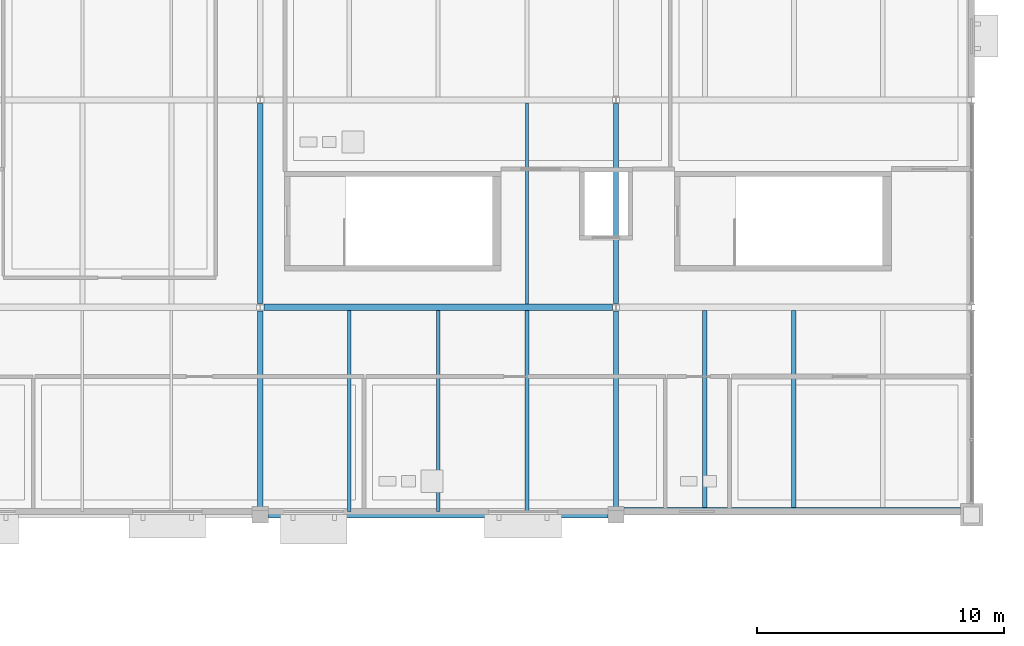
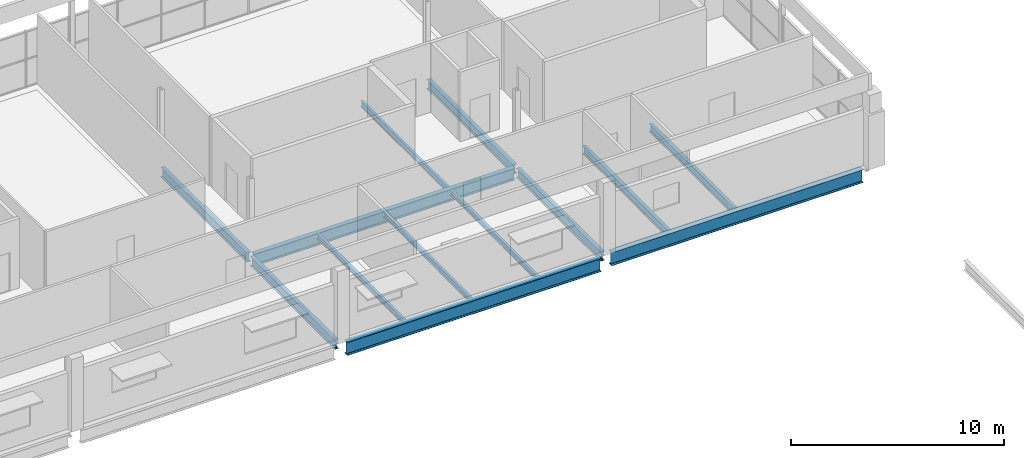
# One storey, part 24 of 43: 13 beams.
"""IFC4 building model written with IfcOpenShell, lengths in metres."""

from ifc_helpers import new_model, si_unit, direction, frame, origin, origin_2d, place, context, subcontext, project, spatial, i_section, extrude, material, material_profile, profile_set, type_object, element, save


model = new_model("IFC4")

# Units and contexts
model_context = context("Model", 3, precision=1e-05, world=origin(), true_north=direction((0.0, 1.0)))
body_context = subcontext(model_context, "Body", "Model", "MODEL_VIEW")
ifc_project = project(units=[si_unit("LENGTHUNIT", "METRE"), si_unit("AREAUNIT", "SQUARE_METRE"), si_unit("VOLUMEUNIT", "CUBIC_METRE"), si_unit("PLANEANGLEUNIT", "RADIAN"), si_unit("MASSUNIT", "GRAM", prefix="KILO"), si_unit("THERMODYNAMICTEMPERATUREUNIT", "KELVIN")], contexts=[model_context])

# Site, building, storey
site_placement = place(None, origin())
site = spatial("IfcSite", under=ifc_project, at=site_placement, CompositionType="ELEMENT")
building_placement = place(site_placement, origin())
building = spatial("IfcBuilding", under=site, at=building_placement, Name="Nduvali Passage Aquatics Centre", CompositionType="ELEMENT")
storey_placement = place(building_placement, frame((0.0, 0.0, 17.39990234375)))
storey = spatial("IfcBuildingStorey", under=building, at=storey_placement, Name="L04", CompositionType="ELEMENT", Elevation=17.39990234375)

# Beams
ifc_material = material(Name="Steel S355", Category="steel")
ifc_material_profile_1 = material_profile(ifc_material, i_section(OverallWidth=0.210693359375, OverallDepth=0.53955078125, WebThickness=0.01171875, FlangeThickness=0.018798828125, FilletRadius=0.0126953125, at=origin_2d()), Name="UKB 533x210x109")
ifc_profile_set_1 = profile_set([ifc_material_profile_1], Name="Steel S355")
beam_type_1 = type_object("IfcBeamType", Name="STR-BM-UKB533", PredefinedType="BEAM", material=ifc_profile_set_1)
beam_1_placement = place(storey_placement, frame((97.199951171875, 92.72509765625, -0.503662109375), z_axis=(0.0, 1.0, 0.0), x_axis=(-1.0, 0.0, 0.0)))
element("IfcBeam", 1, at=beam_1_placement, inside=storey, type_object=beam_type_1, Name="L04 Primary Y-Girder B6-1380", PredefinedType="BEAM", context=body_context, shape_type="SweptSolid", body=[
    extrude(i_section(OverallWidth=0.210693359375, OverallDepth=0.53955078125, WebThickness=0.01171875, FlangeThickness=0.018798828125, FilletRadius=0.0126953125, at=origin_2d()), origin(), (0.0, 0.0, 1.0), 7.9248046875),
])
beam_2_placement = place(storey_placement, frame((97.199951171875, 100.949951171875, -0.503662109375), z_axis=(0.0, 1.0, 0.0), x_axis=(-1.0, 0.0, 0.0)))
element("IfcBeam", 2, at=beam_2_placement, inside=storey, type_object=beam_type_1, Name="L04 Primary Y-Girder B6-1381", PredefinedType="BEAM", context=body_context, shape_type="SweptSolid", body=[
    extrude(i_section(OverallWidth=0.210693359375, OverallDepth=0.53955078125, WebThickness=0.01171875, FlangeThickness=0.018798828125, FilletRadius=0.0126953125, at=origin_2d()), origin(), (0.0, 0.0, 1.0), 8.10009765625),
])
beam_3_placement = place(storey_placement, frame((111.60009765625, 92.72509765625, -0.503662109375), z_axis=(0.0, 1.0, 0.0), x_axis=(-1.0, 0.0, 0.0)))
element("IfcBeam", 3, at=beam_3_placement, inside=storey, type_object=beam_type_1, Name="L04 Primary Y-Girder B6-1383", PredefinedType="BEAM", context=body_context, shape_type="SweptSolid", body=[
    extrude(i_section(OverallWidth=0.210693359375, OverallDepth=0.53955078125, WebThickness=0.01171875, FlangeThickness=0.018798828125, FilletRadius=0.0126953125, at=origin_2d()), origin(), (0.0, 0.0, 1.0), 7.9248046875),
])
beam_4_placement = place(storey_placement, frame((111.60009765625, 100.949951171875, -0.503662109375), z_axis=(0.0, 1.0, 0.0), x_axis=(-1.0, 0.0, 0.0)))
element("IfcBeam", 4, at=beam_4_placement, inside=storey, type_object=beam_type_1, Name="L04 Primary Y-Girder B6-1384", PredefinedType="BEAM", context=body_context, shape_type="SweptSolid", body=[
    extrude(i_section(OverallWidth=0.210693359375, OverallDepth=0.53955078125, WebThickness=0.01171875, FlangeThickness=0.018798828125, FilletRadius=0.0126953125, at=origin_2d()), origin(), (0.0, 0.0, 1.0), 8.10009765625),
])
ifc_material_profile_2 = material_profile(ifc_material, i_section(OverallWidth=0.253662109375, OverallDepth=0.68359375, WebThickness=0.012451171875, FlangeThickness=0.01904296875, FilletRadius=0.01513671875, at=origin_2d()), Name="UKB 686x254x140")
ifc_profile_set_2 = profile_set([ifc_material_profile_2], Name="Steel S355")
beam_type_2 = type_object("IfcBeamType", Name="STR-BM-UKB686", PredefinedType="BEAM", material=ifc_profile_set_2)
beam_5_placement = place(storey_placement, frame((97.35009765625, 100.800048828125, -0.57568359375), z_axis=(1.0, 0.0, 0.0), x_axis=(0.0, 1.0, 0.0)))
element("IfcBeam", 5, at=beam_5_placement, inside=storey, type_object=beam_type_2, Name="L04 Primary X-Girder B4-1341", PredefinedType="BEAM", context=body_context, shape_type="SweptSolid", body=[
    extrude(i_section(OverallWidth=0.253662109375, OverallDepth=0.68359375, WebThickness=0.012451171875, FlangeThickness=0.01904296875, FilletRadius=0.01513671875, at=origin_2d()), origin(), (0.0, 0.0, 1.0), 14.099853515625),
])
ifc_material_profile_3 = material_profile(ifc_material, i_section(OverallWidth=0.2666015625, OverallDepth=0.76220703125, WebThickness=0.014404296875, FlangeThickness=0.021484375, FilletRadius=0.0166015625, at=origin_2d()), Name="UKB 762x267x173")
ifc_profile_set_3 = profile_set([ifc_material_profile_3], Name="Steel S355")
beam_type_3 = type_object("IfcBeamType", Name="STR-BM-UKB762-EXT", PredefinedType="BEAM", material=ifc_profile_set_3)
beam_6_placement = place(storey_placement, frame((97.52490234375, 92.39990234375, -0.614990234375), z_axis=(1.0, 0.0, 0.0), x_axis=(0.0, 1.0, 0.0)))
element("IfcBeam", 6, at=beam_6_placement, inside=storey, type_object=beam_type_3, Name="L04 Primary X-Girder B4CE-1336", PredefinedType="BEAM", context=body_context, shape_type="SweptSolid", body=[
    extrude(i_section(OverallWidth=0.2666015625, OverallDepth=0.76220703125, WebThickness=0.014404296875, FlangeThickness=0.021484375, FilletRadius=0.0166015625, at=origin_2d()), origin(), (0.0, 0.0, 1.0), 13.75),
])
beam_7_placement = place(storey_placement, frame((111.925048828125, 92.56005859375, -0.614990234375), z_axis=(1.0, 0.0, 0.0), x_axis=(0.0, 1.0, 0.0)))
element("IfcBeam", 7, at=beam_7_placement, inside=storey, type_object=beam_type_3, Name="L04 Primary X-Girder B4CE-1337", PredefinedType="BEAM", context=body_context, shape_type="SweptSolid", body=[
    extrude(i_section(OverallWidth=0.2666015625, OverallDepth=0.76220703125, WebThickness=0.014404296875, FlangeThickness=0.021484375, FilletRadius=0.0166015625, at=origin_2d()), origin(), (0.0, 0.0, 1.0), 13.625),
])
ifc_material_profile_4 = material_profile(ifc_material, i_section(OverallWidth=0.14990234375, OverallDepth=0.300048828125, WebThickness=0.007080078125, FlangeThickness=0.0107421875, FilletRadius=0.014892578125, at=origin_2d()), Name="IPE 300")
ifc_profile_set_4 = profile_set([ifc_material_profile_4], Name="Steel S355")
beam_type_4 = type_object("IfcBeamType", Name="STR-JST-IPE300", PredefinedType="JOIST", material=ifc_profile_set_4)
for number, where, z_axis, x_axis, name in (
    (8, (100.800048828125, 92.533203125, -0.3837890625), (0.0, 1.0, 0.0), (-1.0, 0.0, 0.0), "L04 Secondary Joist J7-1412"),
    (9, (104.39990234375, 92.533203125, -0.3837890625), (0.0, 1.0, 0.0), (-1.0, 0.0, 0.0), "L04 Secondary Joist J7-1413"),
    (10, (108.0, 92.533203125, -0.3837890625), (0.0, 1.0, 0.0), (-1.0, 0.0, 0.0), "L04 Secondary Joist J7-1414"),
):
    element("IfcBeam", number, at=place(storey_placement, frame(where, z_axis=z_axis, x_axis=x_axis)), inside=storey, type_object=beam_type_4, Name=name, PredefinedType="JOIST", context=body_context, shape_type="SweptSolid", body=[
        extrude(i_section(OverallWidth=0.14990234375, OverallDepth=0.300048828125, WebThickness=0.007080078125, FlangeThickness=0.0107421875, FilletRadius=0.014892578125, at=origin_2d()), origin(), (0.0, 0.0, 1.0), 8.139892578125),
    ])
ifc_material_profile_5 = material_profile(ifc_material, i_section(OverallWidth=0.18994140625, OverallDepth=0.449951171875, WebThickness=0.009521484375, FlangeThickness=0.0146484375, FilletRadius=0.02099609375, at=origin_2d()), Name="IPE 450")
ifc_profile_set_5 = profile_set([ifc_material_profile_5], Name="Steel S355")
beam_type_5 = type_object("IfcBeamType", Name="STR-JST-IPE450", PredefinedType="JOIST", material=ifc_profile_set_5)
for number, where, z_axis, x_axis, name in (
    (11, (115.199951171875, 92.693359375, -0.458984375), (0.0, 1.0, 0.0), (-1.0, 0.0, 0.0), "L04 Secondary Joist J5B-1415"),
    (12, (118.800048828125, 92.693359375, -0.458984375), (0.0, 1.0, 0.0), (-1.0, 0.0, 0.0), "L04 Secondary Joist J5B-1416"),
):
    element("IfcBeam", number, at=place(storey_placement, frame(where, z_axis=z_axis, x_axis=x_axis)), inside=storey, type_object=beam_type_5, Name=name, PredefinedType="JOIST", context=body_context, shape_type="SweptSolid", body=[
        extrude(i_section(OverallWidth=0.18994140625, OverallDepth=0.449951171875, WebThickness=0.009521484375, FlangeThickness=0.0146484375, FilletRadius=0.02099609375, at=origin_2d()), origin(), (0.0, 0.0, 1.0), 7.979736328125),
    ])
ifc_material_profile_6 = material_profile(ifc_material, i_section(OverallWidth=0.1259765625, OverallDepth=0.353515625, WebThickness=0.006591796875, FlangeThickness=0.0107421875, FilletRadius=0.01025390625, at=origin_2d()), Name="UKB 356x127x39")
ifc_profile_set_6 = profile_set([ifc_material_profile_6], Name="Steel S355")
beam_type_6 = type_object("IfcBeamType", Name="STR-JST-UKB356L", PredefinedType="JOIST", material=ifc_profile_set_6)
beam_8_placement = place(storey_placement, frame((108.0, 100.9267578125, -0.41064453125), z_axis=(0.0, 1.0, 0.0), x_axis=(-1.0, 0.0, 0.0)))
element("IfcBeam", 13, at=beam_8_placement, inside=storey, type_object=beam_type_6, Name="L04 Secondary Joist J2A-1424", PredefinedType="JOIST", context=body_context, shape_type="SweptSolid", body=[
    extrude(i_section(OverallWidth=0.1259765625, OverallDepth=0.353515625, WebThickness=0.006591796875, FlangeThickness=0.0107421875, FilletRadius=0.01025390625, at=origin_2d()), origin(), (0.0, 0.0, 1.0), 8.146484375),
])

save(model, "model.ifc")
